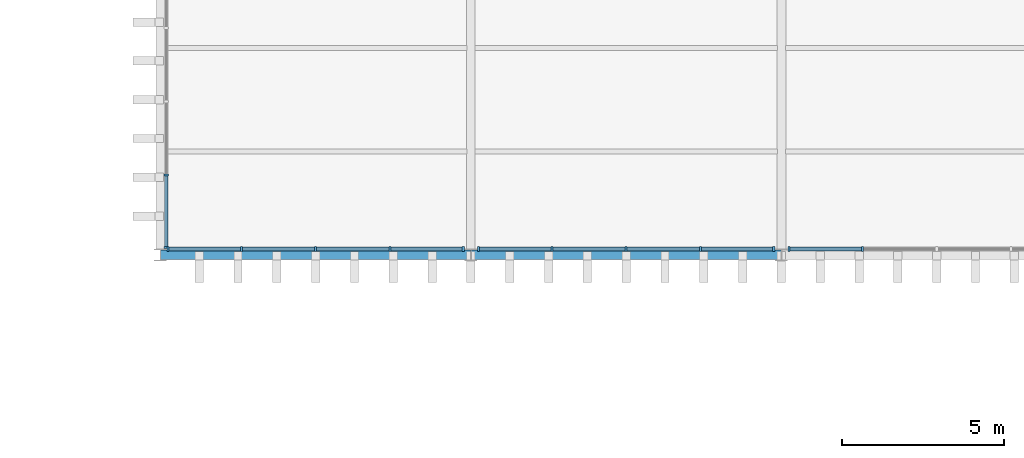
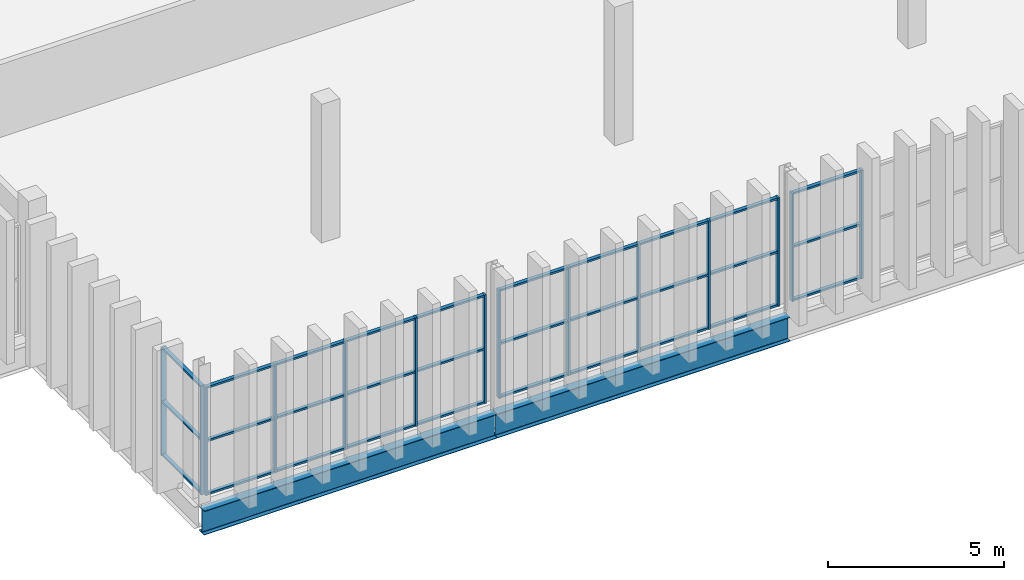
# One storey, part 12 of 99: 44 members, 2 beams, 4 elements without a shape of their own.
"""IFC4 building model written with IfcOpenShell, lengths in metres."""

import ifcopenshell
import ifcopenshell.guid

model = None  # the IFC model being written
_history = None  # IfcOwnerHistory: only IFC2X3 demands one
_inside = {}  # id of a spatial element -> (the spatial element, [elements in it])
_under = {}  # id of a project, library or spatial element -> (it, [spatial elements below it])
_declared = {}  # id of a project -> (the project, [libraries it declares])
_typed = {}  # id of a type object -> (the type object, [elements of that type])
_made_of = {}  # id of a material, layer set ... -> (it, [elements and type objects made of it])


def new_model(schema):
    """Start an empty IFC model of exactly this schema.

    Asked for "IFC4X3", IfcOpenShell would pick the latest addendum, in which some entities
    have other attributes; the version numbers below select the first issue.
    IFC2X3 requires an IfcOwnerHistory on every rooted entity: one is made here for all.
    """
    global model, _history
    if schema == "IFC4X3":
        model = ifcopenshell.file(schema_version=(4, 3, 0, 0))
    else:
        model = ifcopenshell.file(schema=schema)
    _inside.clear()
    _under.clear()
    _declared.clear()
    _typed.clear()
    _made_of.clear()
    _history = None
    if model.schema == "IFC2X3":
        org = make("IfcOrganization", Name="unknown")
        user = make(
            "IfcPersonAndOrganization",
            ThePerson=make("IfcPerson", FamilyName="unknown"),
            TheOrganization=org,
        )
        app = make(
            "IfcApplication",
            ApplicationDeveloper=org,
            Version="unknown",
            ApplicationFullName="unknown",
            ApplicationIdentifier="unknown",
        )
        _history = make(
            "IfcOwnerHistory",
            OwningUser=user,
            OwningApplication=app,
            ChangeAction="ADDED",
            CreationDate=0,
        )
    return model


def make(cls, **values):
    """One entity of the class cls with the attributes given. An attribute that is None is left unset."""
    return model.create_entity(
        cls, **{name: value for name, value in values.items() if value is not None}
    )


def rooted(cls, **values):
    """An entity with a GlobalId (a new one), such as an element, a storey or a relation."""
    return make(cls, GlobalId=ifcopenshell.guid.new(), OwnerHistory=_history, **values)


def si_unit(unit_type, name, prefix=None):
    """IfcSIUnit, for example si_unit("LENGTHUNIT", "METRE", prefix="MILLI")."""
    return make("IfcSIUnit", UnitType=unit_type, Prefix=prefix, Name=name)


def assignment(units):
    """IfcUnitAssignment: the units of a project."""
    return None if units is None else make("IfcUnitAssignment", Units=units)


def point(xyz):
    """IfcCartesianPoint."""
    return None if xyz is None else make("IfcCartesianPoint", Coordinates=xyz)


def direction(xyz):
    """IfcDirection."""
    return None if xyz is None else make("IfcDirection", DirectionRatios=xyz)


def frame(location, z_axis=None, x_axis=None):
    """IfcAxis2Placement3D, a coordinate frame: its origin and axes. An axis left out is left unset."""
    return make(
        "IfcAxis2Placement3D",
        Location=point(location),
        Axis=direction(z_axis),
        RefDirection=direction(x_axis),
    )


def frame_2d(location, x_axis=None):
    """IfcAxis2Placement2D, a coordinate frame in the plane: its origin and x axis."""
    return make(
        "IfcAxis2Placement2D", Location=point(location), RefDirection=direction(x_axis)
    )


def origin():
    """The frame at (0, 0, 0) with its axes left unset."""
    return frame((0.0, 0.0, 0.0))


def origin_2d():
    """The frame at (0, 0) in the plane with its x axis left unset."""
    return frame_2d((0.0, 0.0))


def place(relative_to, where):
    """IfcLocalPlacement: puts the frame where relative to a parent placement (None: the world)."""
    return make(
        "IfcLocalPlacement", PlacementRelTo=relative_to, RelativePlacement=where
    )


def context(
    kind, dimensions, precision=None, world=None, true_north=None, identifier=None
):
    """IfcGeometricRepresentationContext, for example the 3D "Model" context."""
    return make(
        "IfcGeometricRepresentationContext",
        ContextIdentifier=identifier,
        ContextType=kind,
        CoordinateSpaceDimension=dimensions,
        Precision=precision,
        WorldCoordinateSystem=world,
        TrueNorth=true_north,
    )


def subcontext(parent, identifier, kind, view, scale=None):
    """IfcGeometricRepresentationSubContext, for example "Body" below "Model"."""
    return make(
        "IfcGeometricRepresentationSubContext",
        ContextIdentifier=identifier,
        ContextType=kind,
        ParentContext=parent,
        TargetScale=scale,
        TargetView=view,
    )


def project(units=None, contexts=None):
    """IfcProject with its units and contexts."""
    return rooted(
        "IfcProject",
        Name="project",
        RepresentationContexts=contexts,
        UnitsInContext=assignment(units),
    )


def spatial(cls, under=None, at=None, **own):
    """A site, building, storey or space (cls), placed at a placement, below another one or the project."""
    s = rooted(cls, ObjectPlacement=at, **own)
    if under is not None:
        _under.setdefault(under.id(), (under, []))[1].append(s)
    return s


def profile(cls, at=None, kind="AREA", **sizes):
    """A parametric profile (cls). Its sizes go by their IFC names, for example OverallWidth=200.0."""
    return make(cls, ProfileType=kind, Position=at, **sizes)


def rectangle(**sizes):
    """IfcRectangleProfileDef."""
    return profile("IfcRectangleProfileDef", **sizes)


def i_section(**sizes):
    """IfcIShapeProfileDef."""
    return profile("IfcIShapeProfileDef", **sizes)


def extrude(swept, where, along, depth):
    """IfcExtrudedAreaSolid: the profile swept, set in the frame where, extruded along a direction by depth."""
    return make(
        "IfcExtrudedAreaSolid",
        SweptArea=swept,
        Position=where,
        ExtrudedDirection=direction(along),
        Depth=depth,
    )


def shape(context_of_items, identifier, shape_type, items):
    """IfcShapeRepresentation: the items that make up one representation, for example the "Body"."""
    return make(
        "IfcShapeRepresentation",
        ContextOfItems=context_of_items,
        RepresentationIdentifier=identifier,
        RepresentationType=shape_type,
        Items=items,
    )


def material(Name=None, Category=None):
    """IfcMaterial."""
    return make("IfcMaterial", Name=Name, Category=Category)


def layer(
    of_material, thickness, ventilated=None, Name=None, Category=None, Priority=None
):
    """IfcMaterialLayer: one layer of a wall or slab, of a material (None: an air gap)."""
    return make(
        "IfcMaterialLayer",
        Material=of_material,
        LayerThickness=thickness,
        IsVentilated=ventilated,
        Name=Name,
        Category=Category,
        Priority=Priority,
    )


def layer_set(layers, Name=None):
    """IfcMaterialLayerSet."""
    return make("IfcMaterialLayerSet", MaterialLayers=layers, LayerSetName=Name)


def material_profile(
    of_material, cross_section, Name=None, Category=None, Priority=None
):
    """IfcMaterialProfile: a cross section and its material."""
    return make(
        "IfcMaterialProfile",
        Name=Name,
        Material=of_material,
        Profile=cross_section,
        Priority=Priority,
        Category=Category,
    )


def profile_set(profiles, Name=None, composite=None):
    """IfcMaterialProfileSet."""
    return make(
        "IfcMaterialProfileSet",
        Name=Name,
        MaterialProfiles=profiles,
        CompositeProfile=composite,
    )


def made_of(thing, what):
    """Note that an element or type object is made of a material, layer set ...; save() writes the relation."""
    if what is not None:
        _made_of.setdefault(what.id(), (what, []))[1].append(thing)
    return thing


def type_object(cls, material=None, **own):
    """A type object (cls), such as IfcWallType, which elements share."""
    return made_of(rooted(cls, **own), material)


def element(
    cls,
    number,
    at=None,
    inside=None,
    cuts=None,
    type_object=None,
    material=None,
    context=None,
    identifier="Body",
    shape_type=None,
    held_by="IfcProductDefinitionShape",
    body=None,
    shapes=None,
    **own,
):
    """One element of the class cls, such as IfcWall. Its Tag is "e" and its number.

    at: its placement. inside: the storey or other place that contains it. cuts: it is an
    opening in that element (IfcRelVoidsElement). A single representation is given by context,
    identifier, shape_type and body (its items); several are given by shapes. held_by: the class
    of the entity that holds the representations. save() writes the other relations.
    """
    e = rooted(cls, Tag="e%d" % number, ObjectPlacement=at, **own)
    if body is not None:
        shapes = [shape(context, identifier, shape_type, body)]
    if shapes is not None:
        e.Representation = make(held_by, Representations=shapes)
    if inside is not None:
        _inside.setdefault(inside.id(), (inside, []))[1].append(e)
    if cuts is not None:
        rooted(
            "IfcRelVoidsElement", RelatingBuildingElement=cuts, RelatedOpeningElement=e
        )
    if type_object is not None:
        _typed.setdefault(type_object.id(), (type_object, []))[1].append(e)
    return made_of(e, material)


def aggregate(whole, parts):
    """IfcRelAggregates: a whole, such as a stair, and the parts it consists of."""
    return rooted("IfcRelAggregates", RelatingObject=whole, RelatedObjects=parts)


def save(model, path):
    """Write the relations noted so far, then the file.

    IfcRelAggregates (storeys below a building ...), IfcRelContainedInSpatialStructure (elements
    in a storey), IfcRelDefinesByType, IfcRelAssociatesMaterial and IfcRelDeclares: one each for
    every whole, place, type object, material and project.
    """
    for whole, parts in _under.values():
        aggregate(whole, parts)
    for where, things in _inside.values():
        rooted(
            "IfcRelContainedInSpatialStructure",
            RelatedElements=things,
            RelatingStructure=where,
        )
    for kind, things in _typed.values():
        rooted("IfcRelDefinesByType", RelatedObjects=things, RelatingType=kind)
    for what, things in _made_of.values():
        rooted("IfcRelAssociatesMaterial", RelatedObjects=things, RelatingMaterial=what)
    for by, libraries in _declared.values():
        rooted("IfcRelDeclares", RelatingContext=by, RelatedDefinitions=libraries)
    model.write(path)


model = new_model("IFC4")

# Units and contexts
model_context = context("Model", 3, precision=1e-05, world=origin(), true_north=direction((0.0, 1.0)))
body_context = subcontext(model_context, "Body", "Model", "MODEL_VIEW")
ifc_project = project(units=[si_unit("LENGTHUNIT", "METRE"), si_unit("AREAUNIT", "SQUARE_METRE"), si_unit("VOLUMEUNIT", "CUBIC_METRE"), si_unit("PLANEANGLEUNIT", "RADIAN"), si_unit("MASSUNIT", "GRAM", prefix="KILO")], contexts=[model_context])

# Site, building, storey
site_placement = place(None, origin())
site = spatial("IfcSite", under=ifc_project, at=site_placement, CompositionType="ELEMENT")
building_placement = place(site_placement, origin())
building = spatial("IfcBuilding", under=site, at=building_placement, Name="Caelomonte Colonnade Arena", CompositionType="ELEMENT")
storey_placement = place(building_placement, frame((0.0, 0.0, 4.800048828125)))
storey = spatial("IfcBuildingStorey", under=building, at=storey_placement, Name="L01", CompositionType="ELEMENT", Elevation=4.800048828125)

# Curtain wall, members
ifc_material_1 = material(Name="Bronze anodised aluminium and low-E glazing", Category="aluminium")
ifc_layer = layer(ifc_material_1, 0.179931640625)
ifc_layer_set = layer_set([ifc_layer], Name="Bronze anodised aluminium and low-E glazing")
curtain_wall_type = type_object("IfcCurtainWallType", Name="ENV-CW-CW-L01-96-38", PredefinedType="USERDEFINED", material=ifc_layer_set)
curtain_wall_1_placement = place(storey_placement, origin())
curtain_wall_1 = element("IfcCurtainWall", 1, at=curtain_wall_1_placement, inside=storey, type_object=curtain_wall_type, Name="L01 unitized curtain wall CW-L01-0098-0336", ObjectType="UNITIZED CURTAIN WALL", PredefinedType="USERDEFINED")
ifc_material_2 = material(Name="Bronze anodised aluminium AA6063-T6", Category="aluminium")
ifc_material_profile_1 = material_profile(ifc_material_2, rectangle(XDim=0.06494140625, YDim=0.14990234375, at=origin_2d()), Name="CWM-65X150")
ifc_profile_set_1 = profile_set([ifc_material_profile_1], Name="Bronze anodised aluminium AA6063-T6")
member_type_1 = type_object("IfcMemberType", Name="ENV-CW-MULL2", PredefinedType="MULLION", material=ifc_profile_set_1)
member_1_placement = place(storey_placement, frame((9.780029296875, 31.273193359375, 0.0), z_axis=(0.0, 0.0, 1.0), x_axis=(0.0, -1.0, 0.0)))
member_1 = element("IfcMember", 2, at=member_1_placement, type_object=member_type_1, Name="CW-L01-96-38 mullion 4", PredefinedType="MULLION", context=body_context, shape_type="SweptSolid", body=[
    extrude(rectangle(XDim=0.06494140625, YDim=0.14990234375, at=origin_2d()), origin(), (0.0, 0.0, 1.0), 3.758056640625),
])
member_2_placement = place(storey_placement, frame((9.780029296875, 29.036865234375, 0.0), z_axis=(0.0, 0.0, 1.0), x_axis=(0.0, -1.0, 0.0)))
member_2 = element("IfcMember", 3, at=member_2_placement, type_object=member_type_1, Name="CW-L01-96-38 mullion 5", PredefinedType="MULLION", context=body_context, shape_type="SweptSolid", body=[
    extrude(rectangle(XDim=0.06494140625, YDim=0.14990234375, at=origin_2d()), origin(), (0.0, 0.0, 1.0), 3.758056640625),
])

curtain_wall_2_placement = place(storey_placement, origin())
curtain_wall_2 = element("IfcCurtainWall", 4, at=curtain_wall_2_placement, inside=storey, type_object=curtain_wall_type, Name="L01 unitized curtain wall CW-L01-0144-0290", ObjectType="UNITIZED CURTAIN WALL", PredefinedType="USERDEFINED")
member_3_placement = place(storey_placement, frame((9.8369140625, 28.97998046875, 0.0), z_axis=(0.0, 0.0, 1.0), x_axis=(1.0, 0.0, 0.0)))
member_3 = element("IfcMember", 5, at=member_3_placement, type_object=member_type_1, Name="CW-L01-96-38 mullion 1", PredefinedType="MULLION", context=body_context, shape_type="SweptSolid", body=[
    extrude(rectangle(XDim=0.06494140625, YDim=0.14990234375, at=origin_2d()), origin(), (0.0, 0.0, 1.0), 3.758056640625),
])
member_4_placement = place(storey_placement, frame((12.102294921875, 28.97998046875, 0.0), z_axis=(0.0, 0.0, 1.0), x_axis=(1.0, 0.0, 0.0)))
member_4 = element("IfcMember", 6, at=member_4_placement, type_object=member_type_1, Name="CW-L01-96-38 mullion 2", PredefinedType="MULLION", context=body_context, shape_type="SweptSolid", body=[
    extrude(rectangle(XDim=0.06494140625, YDim=0.14990234375, at=origin_2d()), origin(), (0.0, 0.0, 1.0), 3.758056640625),
])
member_5_placement = place(storey_placement, frame((14.39990234375, 28.97998046875, 0.0), z_axis=(0.0, 0.0, 1.0), x_axis=(1.0, 0.0, 0.0)))
member_5 = element("IfcMember", 7, at=member_5_placement, type_object=member_type_1, Name="CW-L01-96-38 mullion 3", PredefinedType="MULLION", context=body_context, shape_type="SweptSolid", body=[
    extrude(rectangle(XDim=0.06494140625, YDim=0.14990234375, at=origin_2d()), origin(), (0.0, 0.0, 1.0), 3.758056640625),
])
member_6_placement = place(storey_placement, frame((16.69775390625, 28.97998046875, 0.0), z_axis=(0.0, 0.0, 1.0), x_axis=(1.0, 0.0, 0.0)))
member_6 = element("IfcMember", 8, at=member_6_placement, type_object=member_type_1, Name="CW-L01-96-38 mullion 4", PredefinedType="MULLION", context=body_context, shape_type="SweptSolid", body=[
    extrude(rectangle(XDim=0.06494140625, YDim=0.14990234375, at=origin_2d()), origin(), (0.0, 0.0, 1.0), 3.758056640625),
])
member_7_placement = place(storey_placement, frame((18.963134765625, 28.97998046875, 0.0), z_axis=(0.0, 0.0, 1.0), x_axis=(1.0, 0.0, 0.0)))
member_7 = element("IfcMember", 9, at=member_7_placement, type_object=member_type_1, Name="CW-L01-96-38 mullion 5", PredefinedType="MULLION", context=body_context, shape_type="SweptSolid", body=[
    extrude(rectangle(XDim=0.06494140625, YDim=0.14990234375, at=origin_2d()), origin(), (0.0, 0.0, 1.0), 3.758056640625),
])

curtain_wall_3_placement = place(storey_placement, origin())
curtain_wall_3 = element("IfcCurtainWall", 10, at=curtain_wall_3_placement, inside=storey, type_object=curtain_wall_type, Name="L01 unitized curtain wall CW-L01-0240-0290", ObjectType="UNITIZED CURTAIN WALL", PredefinedType="USERDEFINED")
member_8_placement = place(storey_placement, frame((19.43701171875, 28.97998046875, 0.0), z_axis=(0.0, 0.0, 1.0), x_axis=(1.0, 0.0, 0.0)))
member_8 = element("IfcMember", 11, at=member_8_placement, type_object=member_type_1, Name="CW-L01-96-38 mullion 1", PredefinedType="MULLION", context=body_context, shape_type="SweptSolid", body=[
    extrude(rectangle(XDim=0.06494140625, YDim=0.14990234375, at=origin_2d()), origin(), (0.0, 0.0, 1.0), 3.758056640625),
])
member_9_placement = place(storey_placement, frame((21.7021484375, 28.97998046875, 0.0), z_axis=(0.0, 0.0, 1.0), x_axis=(1.0, 0.0, 0.0)))
member_9 = element("IfcMember", 12, at=member_9_placement, type_object=member_type_1, Name="CW-L01-96-38 mullion 2", PredefinedType="MULLION", context=body_context, shape_type="SweptSolid", body=[
    extrude(rectangle(XDim=0.06494140625, YDim=0.14990234375, at=origin_2d()), origin(), (0.0, 0.0, 1.0), 3.758056640625),
])
member_10_placement = place(storey_placement, frame((24.0, 28.97998046875, 0.0), z_axis=(0.0, 0.0, 1.0), x_axis=(1.0, 0.0, 0.0)))
member_10 = element("IfcMember", 13, at=member_10_placement, type_object=member_type_1, Name="CW-L01-96-38 mullion 3", PredefinedType="MULLION", context=body_context, shape_type="SweptSolid", body=[
    extrude(rectangle(XDim=0.06494140625, YDim=0.14990234375, at=origin_2d()), origin(), (0.0, 0.0, 1.0), 3.758056640625),
])
member_11_placement = place(storey_placement, frame((26.2978515625, 28.97998046875, 0.0), z_axis=(0.0, 0.0, 1.0), x_axis=(1.0, 0.0, 0.0)))
member_11 = element("IfcMember", 14, at=member_11_placement, type_object=member_type_1, Name="CW-L01-96-38 mullion 4", PredefinedType="MULLION", context=body_context, shape_type="SweptSolid", body=[
    extrude(rectangle(XDim=0.06494140625, YDim=0.14990234375, at=origin_2d()), origin(), (0.0, 0.0, 1.0), 3.758056640625),
])
member_12_placement = place(storey_placement, frame((28.56298828125, 28.97998046875, 0.0), z_axis=(0.0, 0.0, 1.0), x_axis=(1.0, 0.0, 0.0)))
member_12 = element("IfcMember", 15, at=member_12_placement, type_object=member_type_1, Name="CW-L01-96-38 mullion 5", PredefinedType="MULLION", context=body_context, shape_type="SweptSolid", body=[
    extrude(rectangle(XDim=0.06494140625, YDim=0.14990234375, at=origin_2d()), origin(), (0.0, 0.0, 1.0), 3.758056640625),
])

curtain_wall_4_placement = place(storey_placement, origin())
curtain_wall_4 = element("IfcCurtainWall", 16, at=curtain_wall_4_placement, inside=storey, type_object=curtain_wall_type, Name="L01 unitized curtain wall CW-L01-0336-0290", ObjectType="UNITIZED CURTAIN WALL", PredefinedType="USERDEFINED")
member_13_placement = place(storey_placement, frame((29.036865234375, 28.97998046875, 0.0), z_axis=(0.0, 0.0, 1.0), x_axis=(1.0, 0.0, 0.0)))
member_13 = element("IfcMember", 17, at=member_13_placement, type_object=member_type_1, Name="CW-L01-96-38 mullion 1", PredefinedType="MULLION", context=body_context, shape_type="SweptSolid", body=[
    extrude(rectangle(XDim=0.06494140625, YDim=0.14990234375, at=origin_2d()), origin(), (0.0, 0.0, 1.0), 3.758056640625),
])
member_14_placement = place(storey_placement, frame((31.30224609375, 28.97998046875, 0.0), z_axis=(0.0, 0.0, 1.0), x_axis=(1.0, 0.0, 0.0)))
member_14 = element("IfcMember", 18, at=member_14_placement, type_object=member_type_1, Name="CW-L01-96-38 mullion 2", PredefinedType="MULLION", context=body_context, shape_type="SweptSolid", body=[
    extrude(rectangle(XDim=0.06494140625, YDim=0.14990234375, at=origin_2d()), origin(), (0.0, 0.0, 1.0), 3.758056640625),
])

# Member
ifc_material_profile_2 = material_profile(ifc_material_2, rectangle(XDim=0.06494140625, YDim=0.1201171875, at=origin_2d()), Name="CWT-65X120")
ifc_profile_set_2 = profile_set([ifc_material_profile_2], Name="Bronze anodised aluminium AA6063-T6")
member_type_2 = type_object("IfcMemberType", Name="ENV-CW-TRAN2", PredefinedType="USERDEFINED", material=ifc_profile_set_2)
member_15_placement = place(storey_placement, frame((9.780029296875, 31.24072265625, 0.032470703125), z_axis=(0.0, -1.0, 0.0), x_axis=(0.0, 0.0, 1.0)))
member_15 = element("IfcMember", 19, at=member_15_placement, type_object=member_type_2, Name="CW-L01-96-38 transom 4.1", ObjectType="TRANSOM", PredefinedType="USERDEFINED", context=body_context, shape_type="SweptSolid", body=[
    extrude(rectangle(XDim=0.06494140625, YDim=0.1201171875, at=origin_2d()), origin(), (0.0, 0.0, 1.0), 2.17138671875),
])

member_16_placement = place(storey_placement, frame((9.780029296875, 31.24072265625, 1.87890625), z_axis=(0.0, -1.0, 0.0), x_axis=(0.0, 0.0, 1.0)))
member_16 = element("IfcMember", 20, at=member_16_placement, type_object=member_type_2, Name="CW-L01-96-38 transom 4.2", ObjectType="TRANSOM", PredefinedType="USERDEFINED", context=body_context, shape_type="SweptSolid", body=[
    extrude(rectangle(XDim=0.06494140625, YDim=0.1201171875, at=origin_2d()), origin(), (0.0, 0.0, 1.0), 2.17138671875),
])

member_17_placement = place(storey_placement, frame((9.780029296875, 31.24072265625, 3.725341796875), z_axis=(0.0, -1.0, 0.0), x_axis=(0.0, 0.0, 1.0)))
member_17 = element("IfcMember", 21, at=member_17_placement, type_object=member_type_2, Name="CW-L01-96-38 transom 4.3", ObjectType="TRANSOM", PredefinedType="USERDEFINED", context=body_context, shape_type="SweptSolid", body=[
    extrude(rectangle(XDim=0.06494140625, YDim=0.1201171875, at=origin_2d()), origin(), (0.0, 0.0, 1.0), 2.17138671875),
])

aggregate(curtain_wall_1, [member_1, member_2, member_15, member_16, member_17])

member_18_placement = place(storey_placement, frame((9.869384765625, 28.97998046875, 0.032470703125), z_axis=(1.0, 0.0, 0.0), x_axis=(0.0, 0.0, 1.0)))
member_18 = element("IfcMember", 22, at=member_18_placement, type_object=member_type_2, Name="CW-L01-96-38 transom 1.1", ObjectType="TRANSOM", PredefinedType="USERDEFINED", context=body_context, shape_type="SweptSolid", body=[
    extrude(rectangle(XDim=0.06494140625, YDim=0.1201171875, at=origin_2d()), origin(), (0.0, 0.0, 1.0), 2.2001953125),
])

member_19_placement = place(storey_placement, frame((9.869384765625, 28.97998046875, 1.87890625), z_axis=(1.0, 0.0, 0.0), x_axis=(0.0, 0.0, 1.0)))
member_19 = element("IfcMember", 23, at=member_19_placement, type_object=member_type_2, Name="CW-L01-96-38 transom 1.2", ObjectType="TRANSOM", PredefinedType="USERDEFINED", context=body_context, shape_type="SweptSolid", body=[
    extrude(rectangle(XDim=0.06494140625, YDim=0.1201171875, at=origin_2d()), origin(), (0.0, 0.0, 1.0), 2.2001953125),
])

member_20_placement = place(storey_placement, frame((9.869384765625, 28.97998046875, 3.725341796875), z_axis=(1.0, 0.0, 0.0), x_axis=(0.0, 0.0, 1.0)))
member_20 = element("IfcMember", 24, at=member_20_placement, type_object=member_type_2, Name="CW-L01-96-38 transom 1.3", ObjectType="TRANSOM", PredefinedType="USERDEFINED", context=body_context, shape_type="SweptSolid", body=[
    extrude(rectangle(XDim=0.06494140625, YDim=0.1201171875, at=origin_2d()), origin(), (0.0, 0.0, 1.0), 2.2001953125),
])

member_21_placement = place(storey_placement, frame((12.134765625, 28.97998046875, 0.032470703125), z_axis=(1.0, 0.0, 0.0), x_axis=(0.0, 0.0, 1.0)))
member_21 = element("IfcMember", 25, at=member_21_placement, type_object=member_type_2, Name="CW-L01-96-38 transom 2.1", ObjectType="TRANSOM", PredefinedType="USERDEFINED", context=body_context, shape_type="SweptSolid", body=[
    extrude(rectangle(XDim=0.06494140625, YDim=0.1201171875, at=origin_2d()), origin(), (0.0, 0.0, 1.0), 2.232666015625),
])

member_22_placement = place(storey_placement, frame((12.134765625, 28.97998046875, 1.87890625), z_axis=(1.0, 0.0, 0.0), x_axis=(0.0, 0.0, 1.0)))
member_22 = element("IfcMember", 26, at=member_22_placement, type_object=member_type_2, Name="CW-L01-96-38 transom 2.2", ObjectType="TRANSOM", PredefinedType="USERDEFINED", context=body_context, shape_type="SweptSolid", body=[
    extrude(rectangle(XDim=0.06494140625, YDim=0.1201171875, at=origin_2d()), origin(), (0.0, 0.0, 1.0), 2.232666015625),
])

member_23_placement = place(storey_placement, frame((12.134765625, 28.97998046875, 3.725341796875), z_axis=(1.0, 0.0, 0.0), x_axis=(0.0, 0.0, 1.0)))
member_23 = element("IfcMember", 27, at=member_23_placement, type_object=member_type_2, Name="CW-L01-96-38 transom 2.3", ObjectType="TRANSOM", PredefinedType="USERDEFINED", context=body_context, shape_type="SweptSolid", body=[
    extrude(rectangle(XDim=0.06494140625, YDim=0.1201171875, at=origin_2d()), origin(), (0.0, 0.0, 1.0), 2.232666015625),
])

member_24_placement = place(storey_placement, frame((14.4326171875, 28.97998046875, 0.032470703125), z_axis=(1.0, 0.0, 0.0), x_axis=(0.0, 0.0, 1.0)))
member_24 = element("IfcMember", 28, at=member_24_placement, type_object=member_type_2, Name="CW-L01-96-38 transom 3.1", ObjectType="TRANSOM", PredefinedType="USERDEFINED", context=body_context, shape_type="SweptSolid", body=[
    extrude(rectangle(XDim=0.06494140625, YDim=0.1201171875, at=origin_2d()), origin(), (0.0, 0.0, 1.0), 2.232666015625),
])

member_25_placement = place(storey_placement, frame((14.4326171875, 28.97998046875, 1.87890625), z_axis=(1.0, 0.0, 0.0), x_axis=(0.0, 0.0, 1.0)))
member_25 = element("IfcMember", 29, at=member_25_placement, type_object=member_type_2, Name="CW-L01-96-38 transom 3.2", ObjectType="TRANSOM", PredefinedType="USERDEFINED", context=body_context, shape_type="SweptSolid", body=[
    extrude(rectangle(XDim=0.06494140625, YDim=0.1201171875, at=origin_2d()), origin(), (0.0, 0.0, 1.0), 2.232666015625),
])

member_26_placement = place(storey_placement, frame((14.4326171875, 28.97998046875, 3.725341796875), z_axis=(1.0, 0.0, 0.0), x_axis=(0.0, 0.0, 1.0)))
member_26 = element("IfcMember", 30, at=member_26_placement, type_object=member_type_2, Name="CW-L01-96-38 transom 3.3", ObjectType="TRANSOM", PredefinedType="USERDEFINED", context=body_context, shape_type="SweptSolid", body=[
    extrude(rectangle(XDim=0.06494140625, YDim=0.1201171875, at=origin_2d()), origin(), (0.0, 0.0, 1.0), 2.232666015625),
])

member_27_placement = place(storey_placement, frame((16.730224609375, 28.97998046875, 0.032470703125), z_axis=(1.0, 0.0, 0.0), x_axis=(0.0, 0.0, 1.0)))
member_27 = element("IfcMember", 31, at=member_27_placement, type_object=member_type_2, Name="CW-L01-96-38 transom 4.1", ObjectType="TRANSOM", PredefinedType="USERDEFINED", context=body_context, shape_type="SweptSolid", body=[
    extrude(rectangle(XDim=0.06494140625, YDim=0.1201171875, at=origin_2d()), origin(), (0.0, 0.0, 1.0), 2.200439453125),
])

member_28_placement = place(storey_placement, frame((16.730224609375, 28.97998046875, 1.87890625), z_axis=(1.0, 0.0, 0.0), x_axis=(0.0, 0.0, 1.0)))
member_28 = element("IfcMember", 32, at=member_28_placement, type_object=member_type_2, Name="CW-L01-96-38 transom 4.2", ObjectType="TRANSOM", PredefinedType="USERDEFINED", context=body_context, shape_type="SweptSolid", body=[
    extrude(rectangle(XDim=0.06494140625, YDim=0.1201171875, at=origin_2d()), origin(), (0.0, 0.0, 1.0), 2.200439453125),
])

member_29_placement = place(storey_placement, frame((16.730224609375, 28.97998046875, 3.725341796875), z_axis=(1.0, 0.0, 0.0), x_axis=(0.0, 0.0, 1.0)))
member_29 = element("IfcMember", 33, at=member_29_placement, type_object=member_type_2, Name="CW-L01-96-38 transom 4.3", ObjectType="TRANSOM", PredefinedType="USERDEFINED", context=body_context, shape_type="SweptSolid", body=[
    extrude(rectangle(XDim=0.06494140625, YDim=0.1201171875, at=origin_2d()), origin(), (0.0, 0.0, 1.0), 2.200439453125),
])

aggregate(curtain_wall_2, [member_3, member_4, member_5, member_6, member_7, member_18, member_19, member_20, member_21, member_22, member_23, member_24, member_25, member_26, member_27, member_28, member_29])

member_30_placement = place(storey_placement, frame((19.469482421875, 28.97998046875, 0.032470703125), z_axis=(1.0, 0.0, 0.0), x_axis=(0.0, 0.0, 1.0)))
member_30 = element("IfcMember", 34, at=member_30_placement, type_object=member_type_2, Name="CW-L01-96-38 transom 1.1", ObjectType="TRANSOM", PredefinedType="USERDEFINED", context=body_context, shape_type="SweptSolid", body=[
    extrude(rectangle(XDim=0.06494140625, YDim=0.1201171875, at=origin_2d()), origin(), (0.0, 0.0, 1.0), 2.2001953125),
])

member_31_placement = place(storey_placement, frame((19.469482421875, 28.97998046875, 1.87890625), z_axis=(1.0, 0.0, 0.0), x_axis=(0.0, 0.0, 1.0)))
member_31 = element("IfcMember", 35, at=member_31_placement, type_object=member_type_2, Name="CW-L01-96-38 transom 1.2", ObjectType="TRANSOM", PredefinedType="USERDEFINED", context=body_context, shape_type="SweptSolid", body=[
    extrude(rectangle(XDim=0.06494140625, YDim=0.1201171875, at=origin_2d()), origin(), (0.0, 0.0, 1.0), 2.2001953125),
])

member_32_placement = place(storey_placement, frame((19.469482421875, 28.97998046875, 3.725341796875), z_axis=(1.0, 0.0, 0.0), x_axis=(0.0, 0.0, 1.0)))
member_32 = element("IfcMember", 36, at=member_32_placement, type_object=member_type_2, Name="CW-L01-96-38 transom 1.3", ObjectType="TRANSOM", PredefinedType="USERDEFINED", context=body_context, shape_type="SweptSolid", body=[
    extrude(rectangle(XDim=0.06494140625, YDim=0.1201171875, at=origin_2d()), origin(), (0.0, 0.0, 1.0), 2.2001953125),
])

member_33_placement = place(storey_placement, frame((21.734619140625, 28.97998046875, 0.032470703125), z_axis=(1.0, 0.0, 0.0), x_axis=(0.0, 0.0, 1.0)))
member_33 = element("IfcMember", 37, at=member_33_placement, type_object=member_type_2, Name="CW-L01-96-38 transom 2.1", ObjectType="TRANSOM", PredefinedType="USERDEFINED", context=body_context, shape_type="SweptSolid", body=[
    extrude(rectangle(XDim=0.06494140625, YDim=0.1201171875, at=origin_2d()), origin(), (0.0, 0.0, 1.0), 2.23291015625),
])

member_34_placement = place(storey_placement, frame((21.734619140625, 28.97998046875, 1.87890625), z_axis=(1.0, 0.0, 0.0), x_axis=(0.0, 0.0, 1.0)))
member_34 = element("IfcMember", 38, at=member_34_placement, type_object=member_type_2, Name="CW-L01-96-38 transom 2.2", ObjectType="TRANSOM", PredefinedType="USERDEFINED", context=body_context, shape_type="SweptSolid", body=[
    extrude(rectangle(XDim=0.06494140625, YDim=0.1201171875, at=origin_2d()), origin(), (0.0, 0.0, 1.0), 2.23291015625),
])

member_35_placement = place(storey_placement, frame((21.734619140625, 28.97998046875, 3.725341796875), z_axis=(1.0, 0.0, 0.0), x_axis=(0.0, 0.0, 1.0)))
member_35 = element("IfcMember", 39, at=member_35_placement, type_object=member_type_2, Name="CW-L01-96-38 transom 2.3", ObjectType="TRANSOM", PredefinedType="USERDEFINED", context=body_context, shape_type="SweptSolid", body=[
    extrude(rectangle(XDim=0.06494140625, YDim=0.1201171875, at=origin_2d()), origin(), (0.0, 0.0, 1.0), 2.23291015625),
])

member_36_placement = place(storey_placement, frame((24.032470703125, 28.97998046875, 0.032470703125), z_axis=(1.0, 0.0, 0.0), x_axis=(0.0, 0.0, 1.0)))
member_36 = element("IfcMember", 40, at=member_36_placement, type_object=member_type_2, Name="CW-L01-96-38 transom 3.1", ObjectType="TRANSOM", PredefinedType="USERDEFINED", context=body_context, shape_type="SweptSolid", body=[
    extrude(rectangle(XDim=0.06494140625, YDim=0.1201171875, at=origin_2d()), origin(), (0.0, 0.0, 1.0), 2.23291015625),
])

member_37_placement = place(storey_placement, frame((24.032470703125, 28.97998046875, 1.87890625), z_axis=(1.0, 0.0, 0.0), x_axis=(0.0, 0.0, 1.0)))
member_37 = element("IfcMember", 41, at=member_37_placement, type_object=member_type_2, Name="CW-L01-96-38 transom 3.2", ObjectType="TRANSOM", PredefinedType="USERDEFINED", context=body_context, shape_type="SweptSolid", body=[
    extrude(rectangle(XDim=0.06494140625, YDim=0.1201171875, at=origin_2d()), origin(), (0.0, 0.0, 1.0), 2.23291015625),
])

member_38_placement = place(storey_placement, frame((24.032470703125, 28.97998046875, 3.725341796875), z_axis=(1.0, 0.0, 0.0), x_axis=(0.0, 0.0, 1.0)))
member_38 = element("IfcMember", 42, at=member_38_placement, type_object=member_type_2, Name="CW-L01-96-38 transom 3.3", ObjectType="TRANSOM", PredefinedType="USERDEFINED", context=body_context, shape_type="SweptSolid", body=[
    extrude(rectangle(XDim=0.06494140625, YDim=0.1201171875, at=origin_2d()), origin(), (0.0, 0.0, 1.0), 2.23291015625),
])

member_39_placement = place(storey_placement, frame((26.330322265625, 28.97998046875, 0.032470703125), z_axis=(1.0, 0.0, 0.0), x_axis=(0.0, 0.0, 1.0)))
member_39 = element("IfcMember", 43, at=member_39_placement, type_object=member_type_2, Name="CW-L01-96-38 transom 4.1", ObjectType="TRANSOM", PredefinedType="USERDEFINED", context=body_context, shape_type="SweptSolid", body=[
    extrude(rectangle(XDim=0.06494140625, YDim=0.1201171875, at=origin_2d()), origin(), (0.0, 0.0, 1.0), 2.2001953125),
])

member_40_placement = place(storey_placement, frame((26.330322265625, 28.97998046875, 1.87890625), z_axis=(1.0, 0.0, 0.0), x_axis=(0.0, 0.0, 1.0)))
member_40 = element("IfcMember", 44, at=member_40_placement, type_object=member_type_2, Name="CW-L01-96-38 transom 4.2", ObjectType="TRANSOM", PredefinedType="USERDEFINED", context=body_context, shape_type="SweptSolid", body=[
    extrude(rectangle(XDim=0.06494140625, YDim=0.1201171875, at=origin_2d()), origin(), (0.0, 0.0, 1.0), 2.2001953125),
])

member_41_placement = place(storey_placement, frame((26.330322265625, 28.97998046875, 3.725341796875), z_axis=(1.0, 0.0, 0.0), x_axis=(0.0, 0.0, 1.0)))
member_41 = element("IfcMember", 45, at=member_41_placement, type_object=member_type_2, Name="CW-L01-96-38 transom 4.3", ObjectType="TRANSOM", PredefinedType="USERDEFINED", context=body_context, shape_type="SweptSolid", body=[
    extrude(rectangle(XDim=0.06494140625, YDim=0.1201171875, at=origin_2d()), origin(), (0.0, 0.0, 1.0), 2.2001953125),
])

aggregate(curtain_wall_3, [member_8, member_9, member_10, member_11, member_12, member_30, member_31, member_32, member_33, member_34, member_35, member_36, member_37, member_38, member_39, member_40, member_41])

member_42_placement = place(storey_placement, frame((29.0693359375, 28.97998046875, 0.032470703125), z_axis=(1.0, 0.0, 0.0), x_axis=(0.0, 0.0, 1.0)))
member_42 = element("IfcMember", 46, at=member_42_placement, type_object=member_type_2, Name="CW-L01-96-38 transom 1.1", ObjectType="TRANSOM", PredefinedType="USERDEFINED", context=body_context, shape_type="SweptSolid", body=[
    extrude(rectangle(XDim=0.06494140625, YDim=0.1201171875, at=origin_2d()), origin(), (0.0, 0.0, 1.0), 2.200439453125),
])

member_43_placement = place(storey_placement, frame((29.0693359375, 28.97998046875, 1.87890625), z_axis=(1.0, 0.0, 0.0), x_axis=(0.0, 0.0, 1.0)))
member_43 = element("IfcMember", 47, at=member_43_placement, type_object=member_type_2, Name="CW-L01-96-38 transom 1.2", ObjectType="TRANSOM", PredefinedType="USERDEFINED", context=body_context, shape_type="SweptSolid", body=[
    extrude(rectangle(XDim=0.06494140625, YDim=0.1201171875, at=origin_2d()), origin(), (0.0, 0.0, 1.0), 2.200439453125),
])

member_44_placement = place(storey_placement, frame((29.0693359375, 28.97998046875, 3.725341796875), z_axis=(1.0, 0.0, 0.0), x_axis=(0.0, 0.0, 1.0)))
member_44 = element("IfcMember", 48, at=member_44_placement, type_object=member_type_2, Name="CW-L01-96-38 transom 1.3", ObjectType="TRANSOM", PredefinedType="USERDEFINED", context=body_context, shape_type="SweptSolid", body=[
    extrude(rectangle(XDim=0.06494140625, YDim=0.1201171875, at=origin_2d()), origin(), (0.0, 0.0, 1.0), 2.200439453125),
])

aggregate(curtain_wall_4, [member_13, member_14, member_42, member_43, member_44])

# Beams
ifc_material_3 = material(Name="Wide-flange steel ASTM A992 Grade 50", Category="steel")
ifc_material_profile_3 = material_profile(ifc_material_3, i_section(OverallWidth=0.2919921875, OverallDepth=0.835693359375, WebThickness=0.013916015625, FlangeThickness=0.018798828125, FilletRadius=0.017822265625, at=origin_2d()), Name="W33X118")
ifc_profile_set_3 = profile_set([ifc_material_profile_3], Name="Wide-flange steel ASTM A992 Grade 50")
beam_type = type_object("IfcBeamType", Name="STR-BM-GIRD33B", PredefinedType="BEAM", material=ifc_profile_set_3)
beam_1_placement = place(storey_placement, frame((9.605712890625, 28.800048828125, -0.7177734375), z_axis=(1.0, 0.0, 0.0), x_axis=(0.0, 1.0, 0.0)))
element("IfcBeam", 49, at=beam_1_placement, inside=storey, type_object=beam_type, Name="L01 girder BMX-L01-0096-0288", PredefinedType="BEAM", context=body_context, shape_type="SweptSolid", body=[
    extrude(i_section(OverallWidth=0.2919921875, OverallDepth=0.835693359375, WebThickness=0.013916015625, FlangeThickness=0.018798828125, FilletRadius=0.017822265625, at=origin_2d()), origin(), (0.0, 0.0, 1.0), 9.588623046875),
])
beam_2_placement = place(storey_placement, frame((19.20556640625, 28.800048828125, -0.7177734375), z_axis=(1.0, 0.0, 0.0), x_axis=(0.0, 1.0, 0.0)))
element("IfcBeam", 50, at=beam_2_placement, inside=storey, type_object=beam_type, Name="L01 girder BMX-L01-0192-0288", PredefinedType="BEAM", context=body_context, shape_type="SweptSolid", body=[
    extrude(i_section(OverallWidth=0.2919921875, OverallDepth=0.835693359375, WebThickness=0.013916015625, FlangeThickness=0.018798828125, FilletRadius=0.017822265625, at=origin_2d()), origin(), (0.0, 0.0, 1.0), 9.5888671875),
])

save(model, "model.ifc")
